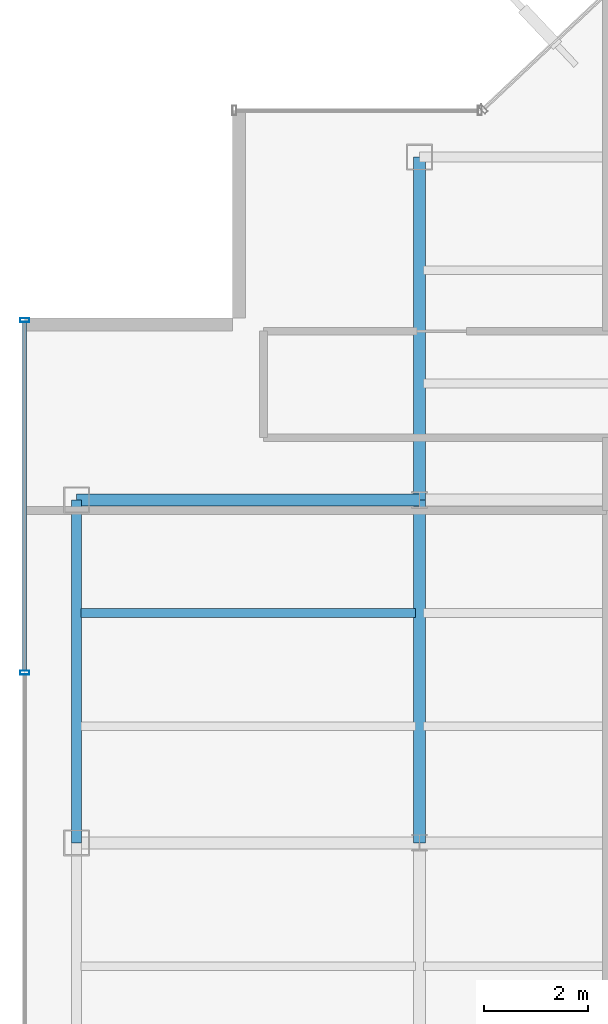
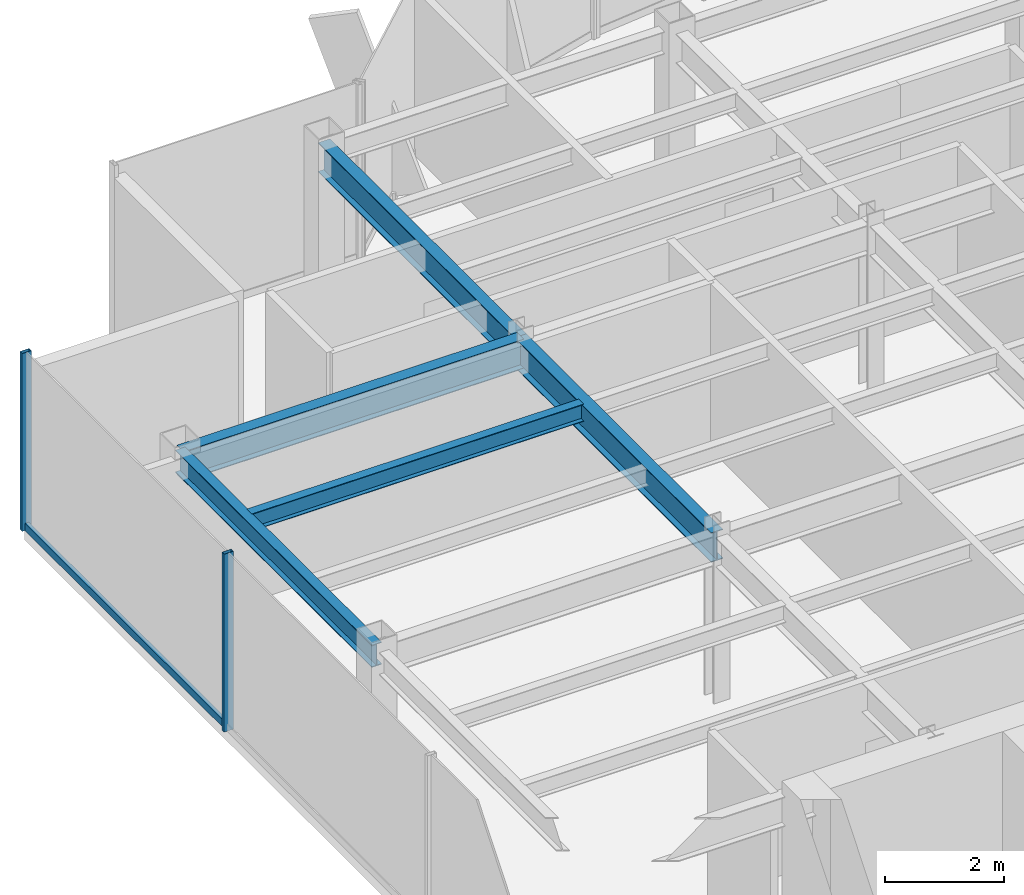
# One storey, part 7 of 22: 5 beams, 3 members, 1 element without a shape of its own.
"""IFC4 building model written with IfcOpenShell, lengths in metres."""

from ifc_helpers import new_model, si_unit, derived_unit, direction, frame, origin, origin_2d, place, context, subcontext, project, spatial, hollow_rectangle, i_section, extrude, source, transform, mapped, material, material_profile, profile_set, type_object, element, aggregate, save


model = new_model("IFC4")

# Units and contexts
model_context = context("Model", 3, precision=1e-05, world=origin(), true_north=direction((0.0, 1.0)))
body_context = subcontext(model_context, "Body", "Model", "MODEL_VIEW")
ifc_project = project(units=[si_unit("LENGTHUNIT", "METRE"), si_unit("AREAUNIT", "SQUARE_METRE"), si_unit("VOLUMEUNIT", "CUBIC_METRE"), si_unit("PLANEANGLEUNIT", "RADIAN"), si_unit("MASSUNIT", "GRAM", prefix="KILO"), derived_unit("THERMALTRANSMITTANCEUNIT", [(si_unit("POWERUNIT", "WATT"), 1), (si_unit("LENGTHUNIT", "METRE"), -2), (si_unit("THERMODYNAMICTEMPERATUREUNIT", "KELVIN"), -1)])], contexts=[model_context])

# Site, building, storey
site_placement = place(None, origin())
site = spatial("IfcSite", under=ifc_project, at=site_placement, CompositionType="ELEMENT")
building_placement = place(site_placement, origin())
building = spatial("IfcBuilding", under=site, at=building_placement, Name="Skarnbrae Concourse Arena and Tower", CompositionType="ELEMENT")
storey_placement = place(building_placement, frame((0.0, 0.0, 192.25)))
storey = spatial("IfcBuildingStorey", under=building, at=storey_placement, Name="L49", CompositionType="ELEMENT", Elevation=192.25)

# Beams
ifc_material_1 = material(Name="Steel CSA G40.21 350W", Category="steel")
ifc_material_profile_1 = material_profile(ifc_material_1, i_section(OverallWidth=0.22802734375, OverallDepth=0.60791015625, WebThickness=0.01123046875, FlangeThickness=0.017333984375, at=origin_2d()), Name="W610X113")
ifc_profile_set_1 = profile_set([ifc_material_profile_1], Name="Steel CSA G40.21 350W")
beam_type_1 = type_object("IfcBeamType", Name="BM-GIRD-W610X113", PredefinedType="BEAM", material=ifc_profile_set_1)
shared_shape_1 = source(origin(), body_context, "Body", "SweptSolid", [
    extrude(i_section(OverallWidth=0.22802734375, OverallDepth=0.60791015625, WebThickness=0.01123046875, FlangeThickness=0.017333984375, at=origin_2d()), origin(), (0.0, 0.0, 1.0), 6.60009765625),
])
for number, where, z_axis, x_axis, name in (
    (1, (1.0, 27.800048828125, 3.095947265625), (1.0, 0.0, 0.0), (0.0, 1.0, 0.0), "L49 Primary E-W girder Y27.8-1"),
    (2, (7.60009765625, 21.199951171875, 3.095947265625), (0.0, 1.0, 0.0), (-1.0, 0.0, 0.0), "L49 Primary N-S girder X7.6-2"),
):
    element("IfcBeam", number, at=place(storey_placement, frame(where, z_axis=z_axis, x_axis=x_axis)), inside=storey, type_object=beam_type_1, Name=name, PredefinedType="BEAM", context=body_context, shape_type="MappedRepresentation", body=[
        mapped(shared_shape_1, transform((0.0, 0.0, 0.0))),
    ])
ifc_material_profile_2 = material_profile(ifc_material_1, i_section(OverallWidth=0.19091796875, OverallDepth=0.4599609375, WebThickness=0.010009765625, FlangeThickness=0.01611328125, at=origin_2d()), Name="W460X82")
ifc_profile_set_2 = profile_set([ifc_material_profile_2], Name="Steel CSA G40.21 350W")
beam_type_2 = type_object("IfcBeamType", Name="BM-SPAN-W460X82", PredefinedType="SPANDREL", material=ifc_profile_set_2)
shared_shape_2 = source(origin(), body_context, "Body", "SweptSolid", [
    extrude(i_section(OverallWidth=0.19091796875, OverallDepth=0.4599609375, WebThickness=0.010009765625, FlangeThickness=0.01611328125, at=origin_2d()), origin(), (0.0, 0.0, 1.0), 6.60009765625),
])
beam_1_placement = place(storey_placement, frame((1.0, 21.199951171875, 3.169921875), z_axis=(0.0, 1.0, 0.0), x_axis=(-1.0, 0.0, 0.0)))
element("IfcBeam", 3, at=beam_1_placement, inside=storey, type_object=beam_type_2, Name="L49 Perimeter spandrel X1.0-3", PredefinedType="SPANDREL", context=body_context, shape_type="MappedRepresentation", body=[
    mapped(shared_shape_2, transform((0.0, 0.0, 0.0))),
])
shared_shape_3 = source(origin(), body_context, "Body", "SweptSolid", [
    extrude(i_section(OverallWidth=0.22802734375, OverallDepth=0.60791015625, WebThickness=0.01123046875, FlangeThickness=0.017333984375, at=origin_2d()), origin(), (0.0, 0.0, 1.0), 6.599853515625),
])
beam_2_placement = place(storey_placement, frame((7.60009765625, 27.800048828125, 3.095947265625), z_axis=(0.0, 1.0, 0.0), x_axis=(-1.0, 0.0, 0.0)))
element("IfcBeam", 4, at=beam_2_placement, inside=storey, type_object=beam_type_1, Name="L49 Primary N-S girder X7.6-3", PredefinedType="BEAM", context=body_context, shape_type="MappedRepresentation", body=[
    mapped(shared_shape_3, transform((0.0, 0.0, 0.0))),
])
ifc_material_profile_3 = material_profile(ifc_material_1, i_section(OverallWidth=0.1708984375, OverallDepth=0.35498046875, WebThickness=0.007080078125, FlangeThickness=0.01171875, at=origin_2d()), Name="W360X51")
ifc_profile_set_3 = profile_set([ifc_material_profile_3], Name="Steel CSA G40.21 350W")
beam_type_3 = type_object("IfcBeamType", Name="BM-JOIST-W360X51", PredefinedType="JOIST", material=ifc_profile_set_3)
shared_shape_4 = source(origin(), body_context, "Body", "SweptSolid", [
    extrude(i_section(OverallWidth=0.1708984375, OverallDepth=0.35498046875, WebThickness=0.007080078125, FlangeThickness=0.01171875, at=origin_2d()), origin(), (0.0, 0.0, 1.0), 6.43994140625),
])
beam_3_placement = place(storey_placement, frame((1.080078125, 25.6220703125, 3.222412109375), z_axis=(1.0, 0.0, 0.0), x_axis=(0.0, 1.0, 0.0)))
element("IfcBeam", 5, at=beam_3_placement, inside=storey, type_object=beam_type_3, Name="L49 Secondary floor joist 2.2.1", PredefinedType="JOIST", context=body_context, shape_type="MappedRepresentation", body=[
    mapped(shared_shape_4, transform((0.0, 0.0, 0.0))),
])

# Curtain wall, members
ifc_material_2 = material(Name="Bronze anodised aluminium 6063-T6", Category="aluminium")
curtain_wall_type = type_object("IfcCurtainWallType", Name="CW-SYS-05-HIGHZONE", PredefinedType="USERDEFINED", material=ifc_material_2)
curtain_wall_placement = place(storey_placement, origin())
curtain_wall = element("IfcCurtainWall", 6, at=curtain_wall_placement, inside=storey, type_object=curtain_wall_type, Name="L49 Unitised curtain wall CW-L49-E18", ObjectType="UNITISED CURTAIN WALL", PredefinedType="USERDEFINED")
ifc_material_profile_4 = material_profile(ifc_material_2, hollow_rectangle(XDim=0.074951171875, YDim=0.179931640625, WallThickness=0.00390625, at=origin_2d()), Name="ALU-MULL-75X180")
ifc_profile_set_4 = profile_set([ifc_material_profile_4], Name="Bronze anodised aluminium 6063-T6")
member_type_1 = type_object("IfcMemberType", Name="CWM-CW-05", PredefinedType="MULLION", material=ifc_profile_set_4)
shared_shape_5 = source(origin(), body_context, "Body", "SweptSolid", [
    extrude(hollow_rectangle(XDim=0.074951171875, YDim=0.179931640625, WallThickness=0.00390625, at=origin_2d()), origin(), (0.0, 0.0, 1.0), 3.64990234375),
])
member_1_placement = place(storey_placement, frame((0.0, 31.262451171875, 0.0), z_axis=(0.0, 0.0, 1.0), x_axis=(0.0, -1.0, 0.0)))
member_1 = element("IfcMember", 7, at=member_1_placement, type_object=member_type_1, Name="CW-L49-E18 Mullion 1", PredefinedType="MULLION", context=body_context, shape_type="MappedRepresentation", body=[
    mapped(shared_shape_5, transform((0.0, 0.0, 0.0))),
])
member_2_placement = place(storey_placement, frame((0.0, 24.47509765625, 0.0), z_axis=(0.0, 0.0, 1.0), x_axis=(0.0, -1.0, 0.0)))
member_2 = element("IfcMember", 8, at=member_2_placement, type_object=member_type_1, Name="CW-L49-E18 Mullion 2", PredefinedType="MULLION", context=body_context, shape_type="MappedRepresentation", body=[
    mapped(shared_shape_5, transform((0.0, 0.0, 0.0))),
])
ifc_material_profile_5 = material_profile(ifc_material_2, hollow_rectangle(XDim=0.074951171875, YDim=0.14990234375, WallThickness=0.00390625, at=origin_2d()), Name="ALU-TRAN-75X150")
ifc_profile_set_5 = profile_set([ifc_material_profile_5], Name="Bronze anodised aluminium 6063-T6")
member_type_2 = type_object("IfcMemberType", Name="CWT-CW-05", PredefinedType="USERDEFINED", material=ifc_profile_set_5)
shared_shape_6 = source(origin(), body_context, "Body", "SweptSolid", [
    extrude(hollow_rectangle(XDim=0.074951171875, YDim=0.14990234375, WallThickness=0.00390625, at=origin_2d()), origin(), (0.0, 0.0, 1.0), 6.712646484375),
])
member_3_placement = place(storey_placement, frame((0.0, 31.22509765625, 0.074951171875), z_axis=(0.0, -1.0, 0.0), x_axis=(1.0, 0.0, 0.0)))
member_3 = element("IfcMember", 9, at=member_3_placement, type_object=member_type_2, Name="CW-L49-E18 Transom 1", ObjectType="TRANSOM", PredefinedType="USERDEFINED", context=body_context, shape_type="MappedRepresentation", body=[
    mapped(shared_shape_6, transform((0.0, 0.0, 0.0))),
])
aggregate(curtain_wall, [member_1, member_2, member_3])

save(model, "model.ifc")
